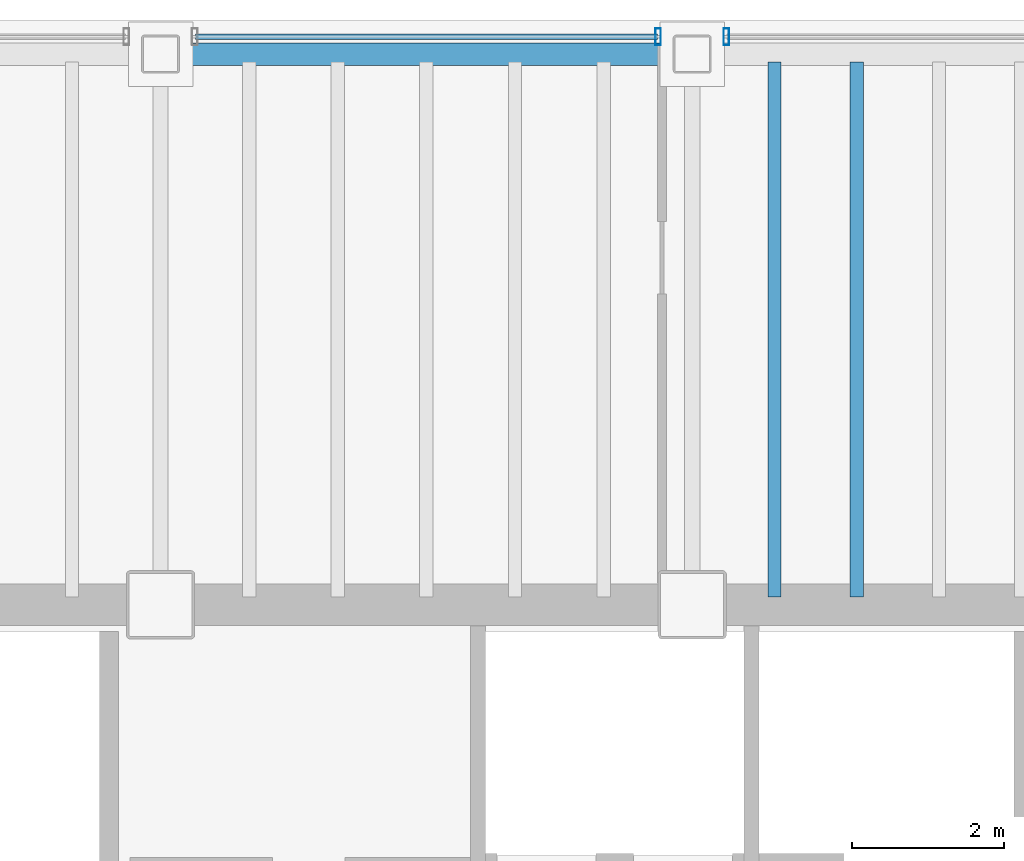
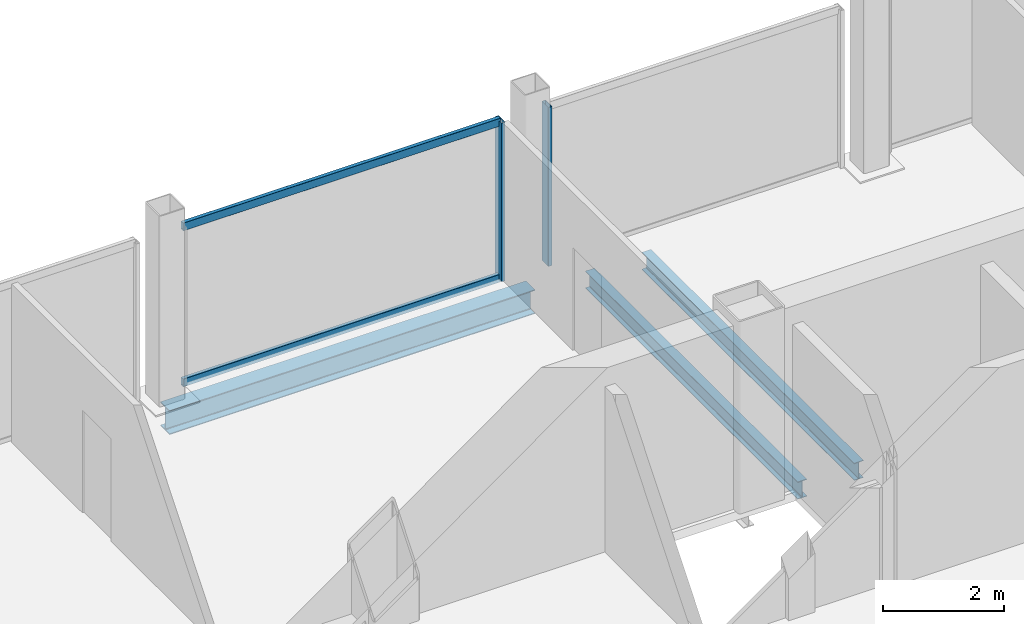
# One storey, part 10 of 18: 4 members, 3 beams, 2 elements without a shape of their own.
"""IFC4 building model written with IfcOpenShell, lengths in metres."""

from ifc_helpers import new_model, si_unit, direction, frame, origin, origin_2d, place, context, subcontext, project, spatial, hollow_rectangle, i_section, extrude, material, material_profile, profile_set, type_object, element, aggregate, save


model = new_model("IFC4")

# Units and contexts
model_context = context("Model", 3, precision=1e-05, world=origin(), true_north=direction((0.0, 1.0)))
body_context = subcontext(model_context, "Body", "Model", "MODEL_VIEW")
ifc_project = project(units=[si_unit("LENGTHUNIT", "METRE"), si_unit("AREAUNIT", "SQUARE_METRE"), si_unit("VOLUMEUNIT", "CUBIC_METRE"), si_unit("PLANEANGLEUNIT", "RADIAN"), si_unit("MASSUNIT", "GRAM", prefix="KILO")], contexts=[model_context])

# Site, building, storey
site_placement = place(None, origin())
site = spatial("IfcSite", under=ifc_project, at=site_placement, CompositionType="ELEMENT")
building_placement = place(site_placement, origin())
building = spatial("IfcBuilding", under=site, at=building_placement, Name="Noeulbin Bourse Tower", CompositionType="ELEMENT")
storey_placement = place(building_placement, frame((0.0, 0.0, 161.699951171875)))
storey = spatial("IfcBuildingStorey", under=building, at=storey_placement, Name="L40", CompositionType="ELEMENT", Elevation=161.699951171875)

# Beams
ifc_material_1 = material(Name="Steel S355", Category="steel")
ifc_material_profile_1 = material_profile(ifc_material_1, i_section(OverallWidth=0.175048828125, OverallDepth=0.35009765625, WebThickness=0.007080078125, FlangeThickness=0.010986328125, FilletRadius=0.013916015625, at=origin_2d()), Name="H-350x175x7x11", Category="LoadBearing")
ifc_profile_set_1 = profile_set([ifc_material_profile_1], Name="Steel S355")
beam_type_1 = type_object("IfcBeamType", Name="BM-JST-350", PredefinedType="JOIST", material=ifc_profile_set_1)
for number, where, z_axis, x_axis, name in (
    (1, (32.083251953125, 38.39990234375, -0.35498046875), (0.0, 1.0, 0.0), (-1.0, 0.0, 0.0), "Tower Composite Joist L40-42"),
    (2, (33.166748046875, 38.39990234375, -0.35498046875), (0.0, 1.0, 0.0), (-1.0, 0.0, 0.0), "Tower Composite Joist L40-45"),
):
    element("IfcBeam", number, at=place(storey_placement, frame(where, z_axis=z_axis, x_axis=x_axis)), inside=storey, type_object=beam_type_1, Name=name, PredefinedType="JOIST", context=body_context, shape_type="SweptSolid", body=[
        extrude(i_section(OverallWidth=0.175048828125, OverallDepth=0.35009765625, WebThickness=0.007080078125, FlangeThickness=0.010986328125, FilletRadius=0.013916015625, at=origin_2d()), origin(), (0.0, 0.0, 1.0), 7.050048828125),
    ])
ifc_material_profile_2 = material_profile(ifc_material_1, i_section(OverallWidth=0.300048828125, OverallDepth=0.488037109375, WebThickness=0.010986328125, FlangeThickness=0.01806640625, FilletRadius=0.02197265625, at=origin_2d()), Name="H-488x300x11x18", Category="LoadBearing")
ifc_profile_set_2 = profile_set([ifc_material_profile_2], Name="Steel S355")
beam_type_2 = type_object("IfcBeamType", Name="BM-SPN-488", PredefinedType="SPANDREL", material=ifc_profile_set_2)
beam_placement = place(storey_placement, frame((24.0, 45.550048828125, -0.424072265625), z_axis=(1.0, 0.0, 0.0), x_axis=(0.0, 1.0, 0.0)))
element("IfcBeam", 3, at=beam_placement, inside=storey, type_object=beam_type_2, Name="North Spandrel L40-2", PredefinedType="SPANDREL", context=body_context, shape_type="SweptSolid", body=[
    extrude(i_section(OverallWidth=0.300048828125, OverallDepth=0.488037109375, WebThickness=0.010986328125, FlangeThickness=0.01806640625, FilletRadius=0.02197265625, at=origin_2d()), origin(), (0.0, 0.0, 1.0), 7.0),
])

# Curtain wall, member
ifc_material_2 = material(Name="Dark Tinted Triple Glazing", Category="glass")
curtain_wall_type = type_object("IfcCurtainWallType", Name="CW-SYS-3", PredefinedType="NOTDEFINED", material=ifc_material_2)
curtain_wall_1_placement = place(storey_placement, origin())
curtain_wall_1 = element("IfcCurtainWall", 4, at=curtain_wall_1_placement, inside=storey, type_object=curtain_wall_type, Name="Unitised Curtain Wall CW-L40-N-S3", PredefinedType="NOTDEFINED")
ifc_material_3 = material(Name="Anodised Aluminium 6063-T6", Category="aluminium")
ifc_material_profile_3 = material_profile(ifc_material_3, hollow_rectangle(XDim=0.074951171875, YDim=0.219970703125, WallThickness=0.0048828125, InnerFilletRadius=0.00244140625, OuterFilletRadius=0.0048828125, at=origin_2d()), Name="ALU-MULL-75x220x5", Category="LoadBearing")
ifc_profile_set_3 = profile_set([ifc_material_profile_3], Name="Anodised Aluminium 6063-T6")
member_type_1 = type_object("IfcMemberType", Name="CW-SYS-3-MUL", PredefinedType="MULLION", material=ifc_profile_set_3)
member_1_placement = place(storey_placement, frame((30.550048828125, 45.780029296875, -0.02001953125), z_axis=(0.0, 0.0, 1.0), x_axis=(1.0, 0.0, 0.0)))
member_1 = element("IfcMember", 5, at=member_1_placement, type_object=member_type_1, Name="Curtain Wall Mullion CW-L40-N-S3-M01", PredefinedType="MULLION", context=body_context, shape_type="SweptSolid", body=[
    extrude(hollow_rectangle(XDim=0.074951171875, YDim=0.219970703125, WallThickness=0.0048828125, InnerFilletRadius=0.00244140625, OuterFilletRadius=0.0048828125, at=origin_2d()), origin(), (0.0, 0.0, 1.0), 3.219970703125),
])

curtain_wall_2_placement = place(storey_placement, origin())
curtain_wall_2 = element("IfcCurtainWall", 6, at=curtain_wall_2_placement, inside=storey, type_object=curtain_wall_type, Name="Unitised Curtain Wall CW-L40-N-S4", PredefinedType="NOTDEFINED")
member_2_placement = place(storey_placement, frame((31.449951171875, 45.780029296875, -0.02001953125), z_axis=(0.0, 0.0, 1.0), x_axis=(1.0, 0.0, 0.0)))
member_2 = element("IfcMember", 7, at=member_2_placement, type_object=member_type_1, Name="Curtain Wall Mullion CW-L40-N-S4-M00", PredefinedType="MULLION", context=body_context, shape_type="SweptSolid", body=[
    extrude(hollow_rectangle(XDim=0.074951171875, YDim=0.219970703125, WallThickness=0.0048828125, InnerFilletRadius=0.00244140625, OuterFilletRadius=0.0048828125, at=origin_2d()), origin(), (0.0, 0.0, 1.0), 3.219970703125),
])
aggregate(curtain_wall_2, [member_2])

# Member
ifc_material_profile_4 = material_profile(ifc_material_3, hollow_rectangle(XDim=0.074951171875, YDim=0.159912109375, WallThickness=0.0048828125, InnerFilletRadius=0.00244140625, OuterFilletRadius=0.0048828125, at=origin_2d()), Name="ALU-TRAN-75x160x5", Category="LoadBearing")
ifc_profile_set_4 = profile_set([ifc_material_profile_4], Name="Anodised Aluminium 6063-T6")
member_type_2 = type_object("IfcMemberType", Name="CW-SYS-3-TRN", PredefinedType="USERDEFINED", material=ifc_profile_set_4)
member_3_placement = place(storey_placement, frame((24.4599609375, 45.780029296875, 0.010009765625), z_axis=(1.0, 0.0, 0.0), x_axis=(0.0, 1.0, 0.0)))
member_3 = element("IfcMember", 8, at=member_3_placement, type_object=member_type_2, Name="Curtain Wall Transom CW-L40-N-S3-T00", ObjectType="TRANSOM", PredefinedType="USERDEFINED", context=body_context, shape_type="SweptSolid", body=[
    extrude(hollow_rectangle(XDim=0.074951171875, YDim=0.159912109375, WallThickness=0.0048828125, InnerFilletRadius=0.00244140625, OuterFilletRadius=0.0048828125, at=origin_2d()), origin(), (0.0, 0.0, 1.0), 6.080078125),
])

member_4_placement = place(storey_placement, frame((24.4599609375, 45.780029296875, 3.170166015625), z_axis=(1.0, 0.0, 0.0), x_axis=(0.0, 1.0, 0.0)))
member_4 = element("IfcMember", 9, at=member_4_placement, type_object=member_type_2, Name="Curtain Wall Transom CW-L40-N-S3-T01", ObjectType="TRANSOM", PredefinedType="USERDEFINED", context=body_context, shape_type="SweptSolid", body=[
    extrude(hollow_rectangle(XDim=0.074951171875, YDim=0.159912109375, WallThickness=0.0048828125, InnerFilletRadius=0.00244140625, OuterFilletRadius=0.0048828125, at=origin_2d()), origin(), (0.0, 0.0, 1.0), 6.080078125),
])

aggregate(curtain_wall_1, [member_1, member_3, member_4])

save(model, "model.ifc")
